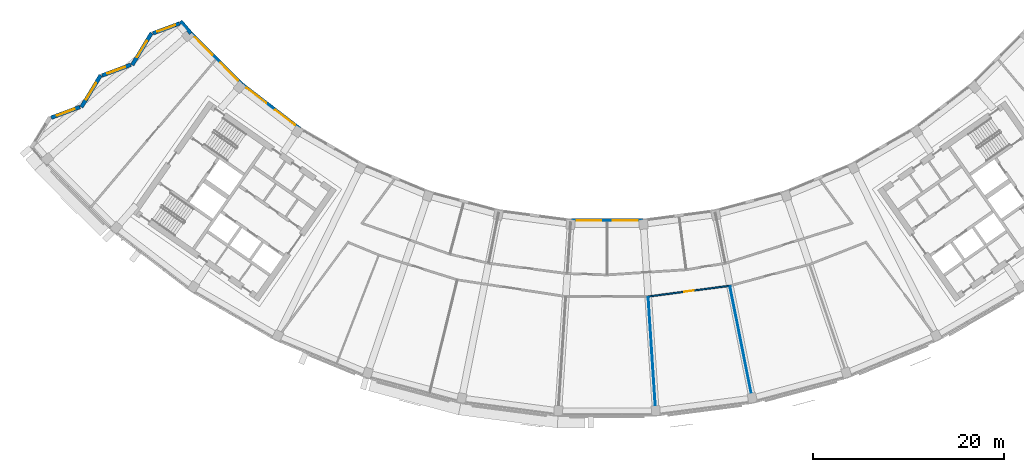
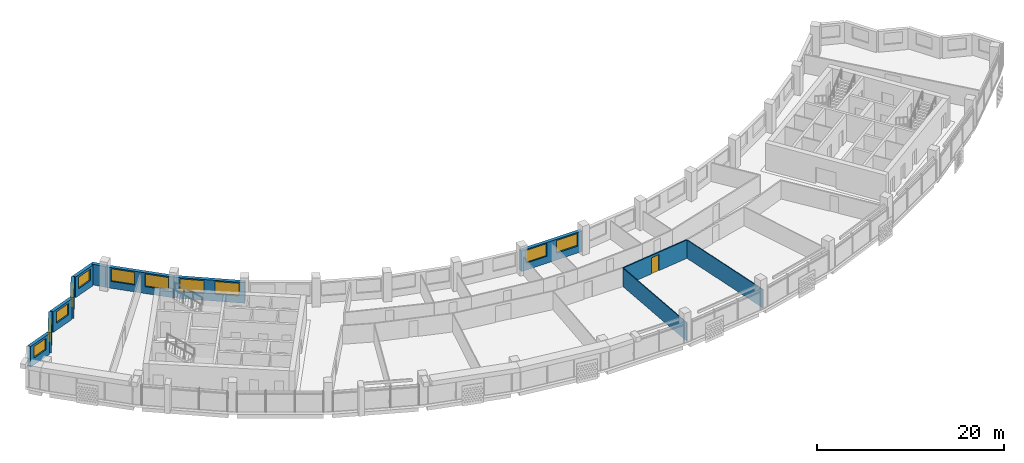
# One storey, part 5 of 28: 12 walls, 11 windows, 1 door, 12 openings.
"""IFC4 building model written with IfcOpenShell, lengths in metres."""

from ifc_helpers import new_model, si_unit, direction, frame, frame_2d, origin, place, context, subcontext, project, spatial, rectangle, extrude, material, layer, layer_set, type_object, element, fill, save


model = new_model("IFC4")

# Units and contexts
model_context = context("Model", 3, precision=1e-05, world=origin(), true_north=direction((0.0, 1.0)))
body_context = subcontext(model_context, "Body", "Model", "MODEL_VIEW")
ifc_project = project(units=[si_unit("LENGTHUNIT", "METRE"), si_unit("AREAUNIT", "SQUARE_METRE"), si_unit("VOLUMEUNIT", "CUBIC_METRE"), si_unit("PLANEANGLEUNIT", "RADIAN"), si_unit("MASSUNIT", "GRAM", prefix="KILO")], contexts=[model_context])

# Site, building, storey
site_placement = place(None, origin())
site = spatial("IfcSite", under=ifc_project, at=site_placement, CompositionType="ELEMENT")
building_placement = place(site_placement, origin())
building = spatial("IfcBuilding", under=site, at=building_placement, Name="Qamariyya Broadcast Tower", CompositionType="ELEMENT")
storey_placement = place(building_placement, frame((0.0, 0.0, 269.5)))
storey = spatial("IfcBuildingStorey", under=building, at=storey_placement, Name="L65", CompositionType="ELEMENT", Elevation=269.5)

# Wall, opening, door
ifc_material_1 = material(Name="Gypsum board partition")
ifc_layer_1 = layer(ifc_material_1, 0.14990234375)
ifc_layer_set_1 = layer_set([ifc_layer_1], Name="Corridor partition 150 EI 60")
wall_type_1 = type_object("IfcWallType", Name="Corridor partition 150 EI 60", PredefinedType="PARTITIONING", material=ifc_layer_set_1)
wall_1_placement = place(storey_placement, frame((12.8369140625, -64.53564453125, 0.0), z_axis=(0.0, 0.0, 1.0), x_axis=(-0.991443575654, -0.130535957862, 0.0)))
wall_1 = element("IfcWall", 1, at=wall_1_placement, inside=storey, type_object=wall_type_1, Name="Partition L65-020", PredefinedType="PARTITIONING", context=body_context, shape_type="SweptSolid", body=[
    extrude(rectangle(XDim=8.607177734375, YDim=0.14990234375, at=frame_2d((4.3037109375, 0.0))), origin(), (0.0, 0.0, 1.0), 2.39990234375),
])
opening_1_placement = place(wall_1_placement, frame((3.803466796875, 0.0, 0.0)))
opening_1 = element("IfcOpeningElement", 2, at=opening_1_placement, cuts=wall_1, Name="Opening L65-D05", PredefinedType="OPENING", context=body_context, shape_type="SweptSolid", body=[
    extrude(rectangle(XDim=1.0, YDim=2.10009765625, at=frame_2d((0.5, 1.050048828125))), frame((0.0, 0.0849609375, 0.0), z_axis=(0.0, -1.0, 0.0), x_axis=(1.0, 0.0, 0.0)), (0.0, 0.0, 1.0), 0.169921875),
])
ifc_material_2 = material(Name="Timber fire door leaf", Category="wood")
door_type = type_object("IfcDoorType", Name="Fire door 1000 x 2100 FD60", OperationType="NOTDEFINED", PredefinedType="DOOR", material=ifc_material_2)
door_placement = place(opening_1_placement, origin())
door = element("IfcDoor", 3, at=door_placement, inside=storey, type_object=door_type, Name="Door L65-D05", OperationType="SINGLE_SWING_RIGHT", OverallHeight=2.10009765625, OverallWidth=1.0, PredefinedType="DOOR", context=body_context, shape_type="SweptSolid", body=[
    extrude(rectangle(XDim=1.0, YDim=2.10009765625, at=frame_2d((0.5, 1.050048828125))), frame((0.0, 0.02490234375, 0.0), z_axis=(0.0, -1.0, 0.0), x_axis=(1.0, 0.0, 0.0)), (0.0, 0.0, 1.0), 0.050048828125),
])
fill(opening_1, door)

# Walls
ifc_layer_2 = layer(ifc_material_1, 0.10009765625)
ifc_layer_set_2 = layer_set([ifc_layer_2], Name="Partition 100")
wall_type_2 = type_object("IfcWallType", Name="Partition 100", PredefinedType="PARTITIONING", material=ifc_layer_set_2)
for number, where, z_axis, x_axis, name in (
    (4, (5.111328125, -77.982666015625, 0.0), (0.0, 0.0, 1.0), (-0.065415386497, 0.997858119779, 0.0), "Partition L65-021"),
    (5, (15.246337890625, -76.6484375, 0.0), (0.0, 0.0, 1.0), (-0.195090980681, 0.980785149386, 0.0), "Partition L65-027"),
):
    element("IfcWall", number, at=place(storey_placement, frame(where, z_axis=z_axis, x_axis=x_axis)), inside=storey, type_object=wall_type_2, Name=name, PredefinedType="PARTITIONING", context=body_context, shape_type="SweptSolid", body=[
        extrude(rectangle(XDim=12.275146484375, YDim=0.10009765625, at=frame_2d((6.1376953125, 0.0))), origin(), (0.0, 0.0, 1.0), 2.39990234375),
    ])

# Wall, opening, window
ifc_material_3 = material(Name="Terracotta", Category="masonry")
ifc_layer_3 = layer(ifc_material_3, 0.39990234375)
ifc_layer_set_3 = layer_set([ifc_layer_3], Name="Terracotta clad wall 400")
wall_type_3 = type_object("IfcWallType", Name="Terracotta clad wall 400", PredefinedType="SOLIDWALL", material=ifc_layer_set_3)
wall_2_placement = place(storey_placement, frame((-44.671142578125, -37.126220703125, 0.0), z_axis=(0.0, 0.0, 1.0), x_axis=(-0.937076293723, -0.349124647859, 0.0)))
wall_2 = element("IfcWall", 6, at=wall_2_placement, inside=storey, type_object=wall_type_3, Name="e-wl-L65-capW0", PredefinedType="SOLIDWALL", context=body_context, shape_type="SweptSolid", body=[
    extrude(rectangle(XDim=2.95947265625, YDim=0.39990234375, at=frame_2d((1.479736328125, 0.0))), origin(), (0.0, 0.0, 1.0), 2.699951171875),
])
opening_2_placement = place(wall_2_placement, frame((0.4794921875, 0.0, 0.89990234375)))
opening_2 = element("IfcOpeningElement", 7, at=opening_2_placement, cuts=wall_2, Name="Opening W4", PredefinedType="OPENING", context=body_context, shape_type="SweptSolid", body=[
    extrude(rectangle(XDim=2.0, YDim=1.5, at=frame_2d((1.0, 0.75))), frame((0.0, 0.2099609375, 0.0), z_axis=(0.0, -1.0, 0.0), x_axis=(1.0, 0.0, 0.0)), (0.0, 0.0, 1.0), 0.419921875),
])
ifc_material_4 = material(Name="Clear low-e double glazed unit in aluminium frame", Category="aluminium")
window_type_1 = type_object("IfcWindowType", Name="Horn bay window 2000 x 1500", PartitioningType="SINGLE_PANEL", PredefinedType="WINDOW", material=ifc_material_4)
window_1_placement = place(opening_2_placement, origin())
window_1 = element("IfcWindow", 8, at=window_1_placement, inside=storey, type_object=window_type_1, Name="e-w-L65-capW0", OverallHeight=1.5, OverallWidth=2.0, PartitioningType="SINGLE_PANEL", PredefinedType="WINDOW", context=body_context, shape_type="SweptSolid", body=[
    extrude(rectangle(XDim=2.0, YDim=1.5, at=frame_2d((1.0, 0.75))), frame((0.0, 0.030029296875, 0.0), z_axis=(0.0, -1.0, 0.0), x_axis=(1.0, 0.0, 0.0)), (0.0, 0.0, 1.0), 0.06005859375),
])
fill(opening_2, window_1)

wall_3_placement = place(storey_placement, frame((-47.58740234375, -38.1298828125, 0.0), z_axis=(0.0, 0.0, 1.0), x_axis=(-0.518178671225, -0.855272392099, 0.0)))
wall_3 = element("IfcWall", 9, at=wall_3_placement, inside=storey, type_object=wall_type_3, Name="e-wl-L65-capW1", PredefinedType="SOLIDWALL", context=body_context, shape_type="SweptSolid", body=[
    extrude(rectangle(XDim=3.913818359375, YDim=0.39990234375, at=frame_2d((1.95703125, 0.0))), origin(), (0.0, 0.0, 1.0), 2.699951171875),
])
opening_3_placement = place(wall_3_placement, frame((0.95703125, 0.0, 0.89990234375)))
opening_3 = element("IfcOpeningElement", 10, at=opening_3_placement, cuts=wall_3, Name="Opening W4", PredefinedType="OPENING", context=body_context, shape_type="SweptSolid", body=[
    extrude(rectangle(XDim=2.0, YDim=1.5, at=frame_2d((1.0, 0.75))), frame((0.0, 0.2099609375, 0.0), z_axis=(0.0, -1.0, 0.0), x_axis=(1.0, 0.0, 0.0)), (0.0, 0.0, 1.0), 0.419921875),
])
window_2_placement = place(opening_3_placement, origin())
window_2 = element("IfcWindow", 11, at=window_2_placement, inside=storey, type_object=window_type_1, Name="e-w-L65-capW1", OverallHeight=1.5, OverallWidth=2.0, PartitioningType="SINGLE_PANEL", PredefinedType="WINDOW", context=body_context, shape_type="SweptSolid", body=[
    extrude(rectangle(XDim=2.0, YDim=1.5, at=frame_2d((1.0, 0.75))), frame((0.0, 0.030029296875, 0.0), z_axis=(0.0, -1.0, 0.0), x_axis=(1.0, 0.0, 0.0)), (0.0, 0.0, 1.0), 0.06005859375),
])
fill(opening_3, window_2)

wall_4_placement = place(storey_placement, frame((-49.758544921875, -41.44775390625, 0.0), z_axis=(0.0, 0.0, 1.0), x_axis=(-0.937045396011, -0.349207568381, 0.0)))
wall_4 = element("IfcWall", 12, at=wall_4_placement, inside=storey, type_object=wall_type_3, Name="e-wl-L65-capW2", PredefinedType="SOLIDWALL", context=body_context, shape_type="SweptSolid", body=[
    extrude(rectangle(XDim=3.19921875, YDim=0.39990234375, at=frame_2d((1.599609375, 0.0))), origin(), (0.0, 0.0, 1.0), 2.699951171875),
])
opening_4_placement = place(wall_4_placement, frame((0.599609375, 0.0, 0.89990234375)))
opening_4 = element("IfcOpeningElement", 13, at=opening_4_placement, cuts=wall_4, Name="Opening W4", PredefinedType="OPENING", context=body_context, shape_type="SweptSolid", body=[
    extrude(rectangle(XDim=2.0, YDim=1.5, at=frame_2d((1.0, 0.75))), frame((0.0, 0.2099609375, 0.0), z_axis=(0.0, -1.0, 0.0), x_axis=(1.0, 0.0, 0.0)), (0.0, 0.0, 1.0), 0.419921875),
])
window_3_placement = place(opening_4_placement, origin())
window_3 = element("IfcWindow", 14, at=window_3_placement, inside=storey, type_object=window_type_1, Name="e-w-L65-capW2", OverallHeight=1.5, OverallWidth=2.0, PartitioningType="SINGLE_PANEL", PredefinedType="WINDOW", context=body_context, shape_type="SweptSolid", body=[
    extrude(rectangle(XDim=2.0, YDim=1.5, at=frame_2d((1.0, 0.75))), frame((0.0, 0.030029296875, 0.0), z_axis=(0.0, -1.0, 0.0), x_axis=(1.0, 0.0, 0.0)), (0.0, 0.0, 1.0), 0.06005859375),
])
fill(opening_4, window_3)

wall_5_placement = place(storey_placement, frame((-52.8994140625, -42.535400390625, 0.0), z_axis=(0.0, 0.0, 1.0), x_axis=(-0.51807905703, -0.855332736815, 0.0)))
wall_5 = element("IfcWall", 15, at=wall_5_placement, inside=storey, type_object=wall_type_3, Name="e-wl-L65-capW3", PredefinedType="SOLIDWALL", context=body_context, shape_type="SweptSolid", body=[
    extrude(rectangle(XDim=3.912841796875, YDim=0.39990234375, at=frame_2d((1.95654296875, 0.0))), origin(), (0.0, 0.0, 1.0), 2.699951171875),
])
opening_5_placement = place(wall_5_placement, frame((0.956298828125, 0.0, 0.89990234375)))
opening_5 = element("IfcOpeningElement", 16, at=opening_5_placement, cuts=wall_5, Name="Opening W4", PredefinedType="OPENING", context=body_context, shape_type="SweptSolid", body=[
    extrude(rectangle(XDim=2.0, YDim=1.5, at=frame_2d((1.0, 0.75))), frame((0.0, 0.2099609375, 0.0), z_axis=(0.0, -1.0, 0.0), x_axis=(1.0, 0.0, 0.0)), (0.0, 0.0, 1.0), 0.419921875),
])
window_4_placement = place(opening_5_placement, origin())
window_4 = element("IfcWindow", 17, at=window_4_placement, inside=storey, type_object=window_type_1, Name="e-w-L65-capW3", OverallHeight=1.5, OverallWidth=2.0, PartitioningType="SINGLE_PANEL", PredefinedType="WINDOW", context=body_context, shape_type="SweptSolid", body=[
    extrude(rectangle(XDim=2.0, YDim=1.5, at=frame_2d((1.0, 0.75))), frame((0.0, 0.030029296875, 0.0), z_axis=(0.0, -1.0, 0.0), x_axis=(1.0, 0.0, 0.0)), (0.0, 0.0, 1.0), 0.06005859375),
])
fill(opening_5, window_4)

wall_6_placement = place(storey_placement, frame((-55.069580078125, -45.8525390625, 0.0), z_axis=(0.0, 0.0, 1.0), x_axis=(-0.937023375479, -0.349266651437, 0.0)))
wall_6 = element("IfcWall", 18, at=wall_6_placement, inside=storey, type_object=wall_type_3, Name="e-wl-L65-capW4", PredefinedType="SOLIDWALL", context=body_context, shape_type="SweptSolid", body=[
    extrude(rectangle(XDim=3.199951171875, YDim=0.39990234375, at=frame_2d((1.60009765625, 0.0))), origin(), (0.0, 0.0, 1.0), 2.699951171875),
])
opening_6_placement = place(wall_6_placement, frame((0.60009765625, 0.0, 0.89990234375)))
opening_6 = element("IfcOpeningElement", 19, at=opening_6_placement, cuts=wall_6, Name="Opening W4", PredefinedType="OPENING", context=body_context, shape_type="SweptSolid", body=[
    extrude(rectangle(XDim=2.0, YDim=1.5, at=frame_2d((1.0, 0.75))), frame((0.0, 0.2099609375, 0.0), z_axis=(0.0, -1.0, 0.0), x_axis=(1.0, 0.0, 0.0)), (0.0, 0.0, 1.0), 0.419921875),
])
window_5_placement = place(opening_6_placement, origin())
window_5 = element("IfcWindow", 20, at=window_5_placement, inside=storey, type_object=window_type_1, Name="e-w-L65-capW4", OverallHeight=1.5, OverallWidth=2.0, PartitioningType="SINGLE_PANEL", PredefinedType="WINDOW", context=body_context, shape_type="SweptSolid", body=[
    extrude(rectangle(XDim=2.0, YDim=1.5, at=frame_2d((1.0, 0.75))), frame((0.0, 0.030029296875, 0.0), z_axis=(0.0, -1.0, 0.0), x_axis=(1.0, 0.0, 0.0)), (0.0, 0.0, 1.0), 0.06005859375),
])
fill(opening_6, window_5)

# Wall
wall_7_placement = place(storey_placement, frame((-43.48095703125, -38.158447265625, 0.0), z_axis=(0.0, 0.0, 1.0), x_axis=(-0.648883876207, 0.760887452386, 0.0)))
element("IfcWall", 21, at=wall_7_placement, inside=storey, type_object=wall_type_3, Name="e-wl-L65-in00", PredefinedType="SOLIDWALL", context=body_context, shape_type="SweptSolid", body=[
    extrude(rectangle(XDim=1.656494140625, YDim=0.39990234375, at=frame_2d((0.828125, 0.0))), origin(), (0.0, 0.0, 1.0), 2.699951171875),
])

# Wall, openings, windows
wall_8_placement = place(storey_placement, frame((-38.17919921875, -43.45849609375, 0.0), z_axis=(0.0, 0.0, 1.0), x_axis=(-0.707106781187, 0.707106781187, 0.0)))
wall_8 = element("IfcWall", 22, at=wall_8_placement, inside=storey, type_object=wall_type_3, Name="e-wl-L65-in10", PredefinedType="SOLIDWALL", context=body_context, shape_type="SweptSolid", body=[
    extrude(rectangle(XDim=7.48095703125, YDim=0.39990234375, at=frame_2d((3.740478515625, 0.0))), origin(), (0.0, 0.0, 1.0), 2.699951171875),
])
opening_7_placement = place(wall_8_placement, frame((4.318115234375, 0.0, 0.89990234375)))
opening_7 = element("IfcOpeningElement", 23, at=opening_7_placement, cuts=wall_8, Name="Opening W1", PredefinedType="OPENING", context=body_context, shape_type="SweptSolid", body=[
    extrude(rectangle(XDim=2.60009765625, YDim=1.64990234375, at=frame_2d((1.300048828125, 0.824951171875))), frame((0.0, 0.2099609375, 0.0), z_axis=(0.0, -1.0, 0.0), x_axis=(1.0, 0.0, 0.0)), (0.0, 0.0, 1.0), 0.419921875),
])
opening_8_placement = place(wall_8_placement, frame((0.547607421875, 0.0, 0.89990234375)))
opening_8 = element("IfcOpeningElement", 24, at=opening_8_placement, cuts=wall_8, Name="Opening W1", PredefinedType="OPENING", context=body_context, shape_type="SweptSolid", body=[
    extrude(rectangle(XDim=2.60009765625, YDim=1.64990234375, at=frame_2d((1.300048828125, 0.824951171875))), frame((0.0, 0.2099609375, 0.0), z_axis=(0.0, -1.0, 0.0), x_axis=(1.0, 0.0, 0.0)), (0.0, 0.0, 1.0), 0.419921875),
])
window_type_2 = type_object("IfcWindowType", Name="Ribbon window 2600 x 1650", PartitioningType="SINGLE_PANEL", PredefinedType="WINDOW", material=ifc_material_4)
window_6_placement = place(opening_7_placement, origin())
window_6 = element("IfcWindow", 25, at=window_6_placement, inside=storey, type_object=window_type_2, Name="e-w-L65-in01-0", OverallHeight=1.64990234375, OverallWidth=2.60009765625, PartitioningType="SINGLE_PANEL", PredefinedType="WINDOW", context=body_context, shape_type="SweptSolid", body=[
    extrude(rectangle(XDim=2.60009765625, YDim=1.64990234375, at=frame_2d((1.300048828125, 0.824951171875))), frame((0.0, 0.030029296875, 0.0), z_axis=(0.0, -1.0, 0.0), x_axis=(1.0, 0.0, 0.0)), (0.0, 0.0, 1.0), 0.06005859375),
])
fill(opening_7, window_6)
window_7_placement = place(opening_8_placement, origin())
window_7 = element("IfcWindow", 26, at=window_7_placement, inside=storey, type_object=window_type_2, Name="e-w-L65-in01-1", OverallHeight=1.64990234375, OverallWidth=2.60009765625, PartitioningType="SINGLE_PANEL", PredefinedType="WINDOW", context=body_context, shape_type="SweptSolid", body=[
    extrude(rectangle(XDim=2.60009765625, YDim=1.64990234375, at=frame_2d((1.300048828125, 0.824951171875))), frame((0.0, 0.030029296875, 0.0), z_axis=(0.0, -1.0, 0.0), x_axis=(1.0, 0.0, 0.0)), (0.0, 0.0, 1.0), 0.06005859375),
])
fill(opening_8, window_7)

wall_9_placement = place(storey_placement, frame((-32.1201171875, -48.1162109375, 0.0), z_axis=(0.0, 0.0, 1.0), x_axis=(-0.793347844099, 0.608768591719, 0.0)))
wall_9 = element("IfcWall", 27, at=wall_9_placement, inside=storey, type_object=wall_type_3, Name="e-wl-L65-in20", PredefinedType="SOLIDWALL", context=body_context, shape_type="SweptSolid", body=[
    extrude(rectangle(XDim=7.617431640625, YDim=0.39990234375, at=frame_2d((3.80859375, 0.0))), origin(), (0.0, 0.0, 1.0), 2.699951171875),
])
opening_9_placement = place(wall_9_placement, frame((4.393798828125, 0.0, 0.89990234375)))
opening_9 = element("IfcOpeningElement", 28, at=opening_9_placement, cuts=wall_9, Name="Opening W1", PredefinedType="OPENING", context=body_context, shape_type="SweptSolid", body=[
    extrude(rectangle(XDim=2.60009765625, YDim=1.64990234375, at=frame_2d((1.300048828125, 0.824951171875))), frame((0.0, 0.2099609375, 0.0), z_axis=(0.0, -1.0, 0.0), x_axis=(1.0, 0.0, 0.0)), (0.0, 0.0, 1.0), 0.419921875),
])
opening_10_placement = place(wall_9_placement, frame((0.623291015625, 0.0, 0.89990234375)))
opening_10 = element("IfcOpeningElement", 29, at=opening_10_placement, cuts=wall_9, Name="Opening W1", PredefinedType="OPENING", context=body_context, shape_type="SweptSolid", body=[
    extrude(rectangle(XDim=2.60009765625, YDim=1.64990234375, at=frame_2d((1.300048828125, 0.824951171875))), frame((0.0, 0.2099609375, 0.0), z_axis=(0.0, -1.0, 0.0), x_axis=(1.0, 0.0, 0.0)), (0.0, 0.0, 1.0), 0.419921875),
])
window_8_placement = place(opening_9_placement, origin())
window_8 = element("IfcWindow", 30, at=window_8_placement, inside=storey, type_object=window_type_2, Name="e-w-L65-in02-0", OverallHeight=1.64990234375, OverallWidth=2.60009765625, PartitioningType="SINGLE_PANEL", PredefinedType="WINDOW", context=body_context, shape_type="SweptSolid", body=[
    extrude(rectangle(XDim=2.60009765625, YDim=1.64990234375, at=frame_2d((1.300048828125, 0.824951171875))), frame((0.0, 0.030029296875, 0.0), z_axis=(0.0, -1.0, 0.0), x_axis=(1.0, 0.0, 0.0)), (0.0, 0.0, 1.0), 0.06005859375),
])
fill(opening_9, window_8)
window_9_placement = place(opening_10_placement, origin())
window_9 = element("IfcWindow", 31, at=window_9_placement, inside=storey, type_object=window_type_2, Name="e-w-L65-in02-1", OverallHeight=1.64990234375, OverallWidth=2.60009765625, PartitioningType="SINGLE_PANEL", PredefinedType="WINDOW", context=body_context, shape_type="SweptSolid", body=[
    extrude(rectangle(XDim=2.60009765625, YDim=1.64990234375, at=frame_2d((1.300048828125, 0.824951171875))), frame((0.0, 0.030029296875, 0.0), z_axis=(0.0, -1.0, 0.0), x_axis=(1.0, 0.0, 0.0)), (0.0, 0.0, 1.0), 0.06005859375),
])
fill(opening_10, window_9)

wall_10_placement = place(storey_placement, frame((3.73291015625, -57.7265625, 0.0), z_axis=(0.0, 0.0, 1.0), x_axis=(-1.0, 0.0, 0.0)))
wall_10 = element("IfcWall", 32, at=wall_10_placement, inside=storey, type_object=wall_type_3, Name="e-wl-L65-in70", PredefinedType="SOLIDWALL", context=body_context, shape_type="SweptSolid", body=[
    extrude(rectangle(XDim=7.4658203125, YDim=0.39990234375, at=frame_2d((3.73291015625, 0.0))), origin(), (0.0, 0.0, 1.0), 2.699951171875),
])
opening_11_placement = place(wall_10_placement, frame((4.318115234375, 0.0, 0.89990234375)))
opening_11 = element("IfcOpeningElement", 33, at=opening_11_placement, cuts=wall_10, Name="Opening W1", PredefinedType="OPENING", context=body_context, shape_type="SweptSolid", body=[
    extrude(rectangle(XDim=2.60009765625, YDim=1.64990234375, at=frame_2d((1.300048828125, 0.824951171875))), frame((0.0, 0.2099609375, 0.0), z_axis=(0.0, -1.0, 0.0), x_axis=(1.0, 0.0, 0.0)), (0.0, 0.0, 1.0), 0.419921875),
])
opening_12_placement = place(wall_10_placement, frame((0.547607421875, 0.0, 0.89990234375)))
opening_12 = element("IfcOpeningElement", 34, at=opening_12_placement, cuts=wall_10, Name="Opening W1", PredefinedType="OPENING", context=body_context, shape_type="SweptSolid", body=[
    extrude(rectangle(XDim=2.60009765625, YDim=1.64990234375, at=frame_2d((1.300048828125, 0.824951171875))), frame((0.0, 0.2099609375, 0.0), z_axis=(0.0, -1.0, 0.0), x_axis=(1.0, 0.0, 0.0)), (0.0, 0.0, 1.0), 0.419921875),
])
window_10_placement = place(opening_11_placement, origin())
window_10 = element("IfcWindow", 35, at=window_10_placement, inside=storey, type_object=window_type_2, Name="e-w-L65-in07-0", OverallHeight=1.64990234375, OverallWidth=2.60009765625, PartitioningType="SINGLE_PANEL", PredefinedType="WINDOW", context=body_context, shape_type="SweptSolid", body=[
    extrude(rectangle(XDim=2.60009765625, YDim=1.64990234375, at=frame_2d((1.300048828125, 0.824951171875))), frame((0.0, 0.030029296875, 0.0), z_axis=(0.0, -1.0, 0.0), x_axis=(1.0, 0.0, 0.0)), (0.0, 0.0, 1.0), 0.06005859375),
])
fill(opening_11, window_10)
window_11_placement = place(opening_12_placement, origin())
window_11 = element("IfcWindow", 36, at=window_11_placement, inside=storey, type_object=window_type_2, Name="e-w-L65-in07-1", OverallHeight=1.64990234375, OverallWidth=2.60009765625, PartitioningType="SINGLE_PANEL", PredefinedType="WINDOW", context=body_context, shape_type="SweptSolid", body=[
    extrude(rectangle(XDim=2.60009765625, YDim=1.64990234375, at=frame_2d((1.300048828125, 0.824951171875))), frame((0.0, 0.030029296875, 0.0), z_axis=(0.0, -1.0, 0.0), x_axis=(1.0, 0.0, 0.0)), (0.0, 0.0, 1.0), 0.06005859375),
])
fill(opening_12, window_11)

save(model, "model.ifc")
